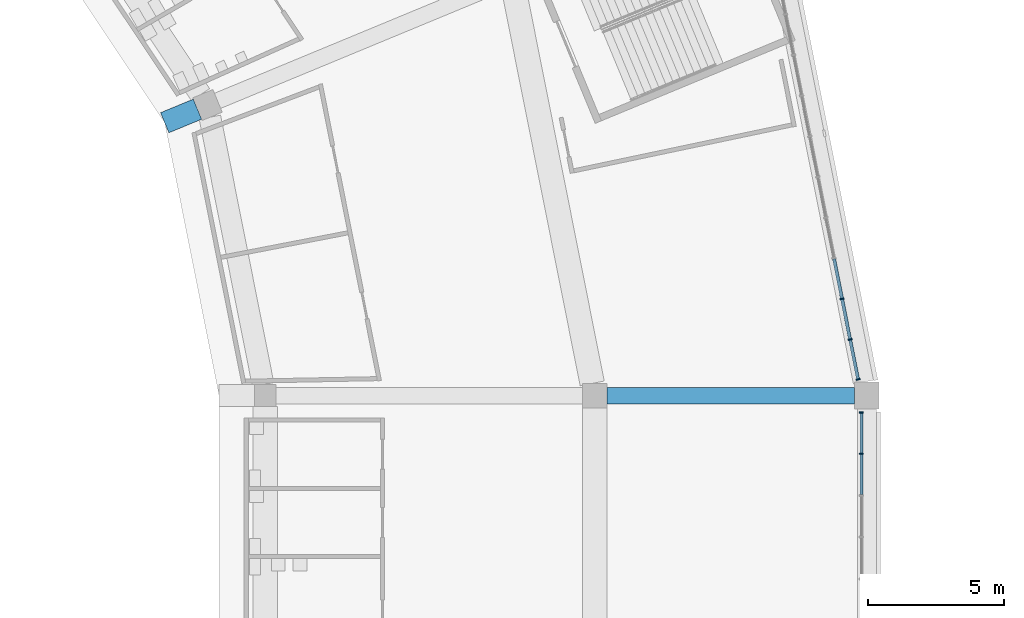
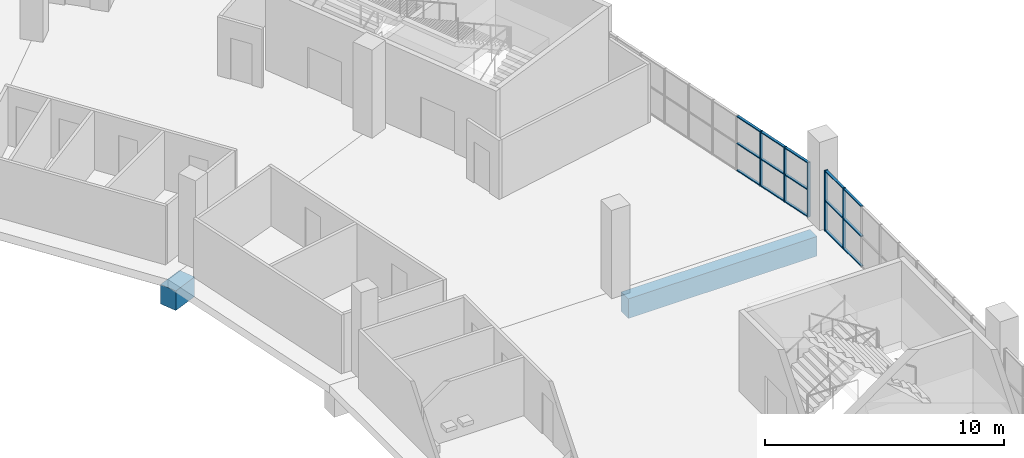
# One storey, part 50 of 199: 20 members, 2 beams, 2 elements without a shape of their own.
"""IFC4 building model written with IfcOpenShell, lengths in metres."""

from ifc_helpers import new_model, si_unit, direction, frame, origin, origin_2d, place, context, subcontext, project, spatial, rectangle, extrude, material, material_profile, profile_set, type_object, element, aggregate, save


model = new_model("IFC4")

# Units and contexts
model_context = context("Model", 3, precision=1e-05, world=origin(), true_north=direction((0.0, 1.0)))
body_context = subcontext(model_context, "Body", "Model", "MODEL_VIEW")
ifc_project = project(units=[si_unit("LENGTHUNIT", "METRE"), si_unit("AREAUNIT", "SQUARE_METRE"), si_unit("VOLUMEUNIT", "CUBIC_METRE"), si_unit("PLANEANGLEUNIT", "RADIAN"), si_unit("MASSUNIT", "GRAM", prefix="KILO")], contexts=[model_context])

# Site, building, storey
site_placement = place(None, origin())
site = spatial("IfcSite", under=ifc_project, at=site_placement, CompositionType="ELEMENT")
building_placement = place(site_placement, origin())
building = spatial("IfcBuilding", under=site, at=building_placement, Name="Ogive Plaza Stadium", CompositionType="ELEMENT")
storey_placement = place(building_placement, frame((0.0, 0.0, 4.5)))
storey = spatial("IfcBuildingStorey", under=building, at=storey_placement, Name="L01", CompositionType="ELEMENT", Elevation=4.5)

# Curtain wall, members
ifc_material_1 = material(Name="Bronze-anodised aluminium with laminated glass", Category="aluminium")
curtain_wall_type = type_object("IfcCurtainWallType", Name="Lancet curtain wall", PredefinedType="NOTDEFINED", material=ifc_material_1)
curtain_wall_1_placement = place(storey_placement, origin())
curtain_wall_1 = element("IfcCurtainWall", 1, at=curtain_wall_1_placement, inside=storey, type_object=curtain_wall_type, Name="CURTAIN WALL B01 L01", PredefinedType="NOTDEFINED")
ifc_material_2 = material(Name="Bronze-anodised aluminium", Category="aluminium")
ifc_material_profile_1 = material_profile(ifc_material_2, rectangle(XDim=0.14990234375, YDim=0.050048828125, at=origin_2d()), Name="AL 150x50")
ifc_profile_set_1 = profile_set([ifc_material_profile_1], Name="Bronze-anodised aluminium")
member_type_1 = type_object("IfcMemberType", Name="Curtain wall mullion 50x150", PredefinedType="MULLION", material=ifc_profile_set_1)
member_1_placement = place(storey_placement, frame((83.800048828125, 51.875, 0.0), z_axis=(0.0, 0.0, 1.0), x_axis=(1.0, 0.0, 0.0)))
member_1 = element("IfcMember", 2, at=member_1_placement, type_object=member_type_1, Name="CW-B01-L01 mullion 1", PredefinedType="MULLION", context=body_context, shape_type="SweptSolid", body=[
    extrude(rectangle(XDim=0.14990234375, YDim=0.050048828125, at=origin_2d()), origin(), (0.0, 0.0, 1.0), 3.090087890625),
])
member_2_placement = place(storey_placement, frame((83.800048828125, 50.36669921875, 0.0), z_axis=(0.0, 0.0, 1.0), x_axis=(1.0, 0.0, 0.0)))
member_2 = element("IfcMember", 3, at=member_2_placement, type_object=member_type_1, Name="CW-B01-L01 mullion 2", PredefinedType="MULLION", context=body_context, shape_type="SweptSolid", body=[
    extrude(rectangle(XDim=0.14990234375, YDim=0.050048828125, at=origin_2d()), origin(), (0.0, 0.0, 1.0), 3.090087890625),
])

curtain_wall_2_placement = place(storey_placement, origin())
curtain_wall_2 = element("IfcCurtainWall", 4, at=curtain_wall_2_placement, inside=storey, type_object=curtain_wall_type, Name="CURTAIN WALL B40 L01", PredefinedType="NOTDEFINED")
member_3_placement = place(storey_placement, frame((83.0888671875, 56.0556640625, 0.0), z_axis=(0.0, 0.0, 1.0), x_axis=(0.9807852804, 0.195090322033, 0.0)))
member_3 = element("IfcMember", 5, at=member_3_placement, type_object=member_type_1, Name="CW-B40-L01 mullion 11", PredefinedType="MULLION", context=body_context, shape_type="SweptSolid", body=[
    extrude(rectangle(XDim=0.14990234375, YDim=0.050048828125, at=origin_2d()), origin(), (0.0, 0.0, 1.0), 2.7900390625),
])
member_4_placement = place(storey_placement, frame((83.3857421875, 54.5625, 0.0), z_axis=(0.0, 0.0, 1.0), x_axis=(0.9807852804, 0.195090322033, 0.0)))
member_4 = element("IfcMember", 6, at=member_4_placement, type_object=member_type_1, Name="CW-B40-L01 mullion 12", PredefinedType="MULLION", context=body_context, shape_type="SweptSolid", body=[
    extrude(rectangle(XDim=0.14990234375, YDim=0.050048828125, at=origin_2d()), origin(), (0.0, 0.0, 1.0), 2.7900390625),
])
member_5_placement = place(storey_placement, frame((83.677978515625, 53.093994140625, 0.0), z_axis=(0.0, 0.0, 1.0), x_axis=(0.9807852804, 0.195090322033, 0.0)))
member_5 = element("IfcMember", 7, at=member_5_placement, type_object=member_type_1, Name="CW-B40-L01 mullion 13", PredefinedType="MULLION", context=body_context, shape_type="SweptSolid", body=[
    extrude(rectangle(XDim=0.14990234375, YDim=0.050048828125, at=origin_2d()), origin(), (0.0, 0.0, 1.0), 2.7900390625),
])

# Member
ifc_material_3 = material(Name="Bronze-anodised aluminium", Category="aluminium")
ifc_material_profile_2 = material_profile(ifc_material_3, rectangle(XDim=0.1201171875, YDim=0.050048828125, at=origin_2d()), Name="AL 120x50")
ifc_profile_set_2 = profile_set([ifc_material_profile_2], Name="Bronze-anodised aluminium")
member_type_2 = type_object("IfcMemberType", Name="Curtain wall transom 50x120", PredefinedType="USERDEFINED", material=ifc_profile_set_2)
member_6_placement = place(storey_placement, frame((83.800048828125, 51.85009765625, 0.02490234375), z_axis=(0.0, -1.0, 0.0), x_axis=(1.0, 0.0, 0.0)))
member_6 = element("IfcMember", 8, at=member_6_placement, type_object=member_type_2, Name="CW-B01-L01 transom 1.1", ObjectType="TRANSOM", PredefinedType="USERDEFINED", context=body_context, shape_type="SweptSolid", body=[
    extrude(rectangle(XDim=0.1201171875, YDim=0.050048828125, at=origin_2d()), origin(), (0.0, 0.0, 1.0), 1.45849609375),
])

member_7_placement = place(storey_placement, frame((83.800048828125, 51.85009765625, 1.544921875), z_axis=(0.0, -1.0, 0.0), x_axis=(1.0, 0.0, 0.0)))
member_7 = element("IfcMember", 9, at=member_7_placement, type_object=member_type_2, Name="CW-B01-L01 transom 1.2", ObjectType="TRANSOM", PredefinedType="USERDEFINED", context=body_context, shape_type="SweptSolid", body=[
    extrude(rectangle(XDim=0.1201171875, YDim=0.050048828125, at=origin_2d()), origin(), (0.0, 0.0, 1.0), 1.45849609375),
])

member_8_placement = place(storey_placement, frame((83.800048828125, 51.85009765625, 3.06494140625), z_axis=(0.0, -1.0, 0.0), x_axis=(1.0, 0.0, 0.0)))
member_8 = element("IfcMember", 10, at=member_8_placement, type_object=member_type_2, Name="CW-B01-L01 transom 1.3", ObjectType="TRANSOM", PredefinedType="USERDEFINED", context=body_context, shape_type="SweptSolid", body=[
    extrude(rectangle(XDim=0.1201171875, YDim=0.050048828125, at=origin_2d()), origin(), (0.0, 0.0, 1.0), 1.45849609375),
])

member_9_placement = place(storey_placement, frame((83.800048828125, 50.341552734375, 0.02490234375), z_axis=(0.0, -1.0, 0.0), x_axis=(1.0, 0.0, 0.0)))
member_9 = element("IfcMember", 11, at=member_9_placement, type_object=member_type_2, Name="CW-B01-L01 transom 2.1", ObjectType="TRANSOM", PredefinedType="USERDEFINED", context=body_context, shape_type="SweptSolid", body=[
    extrude(rectangle(XDim=0.1201171875, YDim=0.050048828125, at=origin_2d()), origin(), (0.0, 0.0, 1.0), 1.483154296875),
])

member_10_placement = place(storey_placement, frame((83.800048828125, 50.341552734375, 1.544921875), z_axis=(0.0, -1.0, 0.0), x_axis=(1.0, 0.0, 0.0)))
member_10 = element("IfcMember", 12, at=member_10_placement, type_object=member_type_2, Name="CW-B01-L01 transom 2.2", ObjectType="TRANSOM", PredefinedType="USERDEFINED", context=body_context, shape_type="SweptSolid", body=[
    extrude(rectangle(XDim=0.1201171875, YDim=0.050048828125, at=origin_2d()), origin(), (0.0, 0.0, 1.0), 1.483154296875),
])

member_11_placement = place(storey_placement, frame((83.800048828125, 50.341552734375, 3.06494140625), z_axis=(0.0, -1.0, 0.0), x_axis=(1.0, 0.0, 0.0)))
member_11 = element("IfcMember", 13, at=member_11_placement, type_object=member_type_2, Name="CW-B01-L01 transom 2.3", ObjectType="TRANSOM", PredefinedType="USERDEFINED", context=body_context, shape_type="SweptSolid", body=[
    extrude(rectangle(XDim=0.1201171875, YDim=0.050048828125, at=origin_2d()), origin(), (0.0, 0.0, 1.0), 1.483154296875),
])

aggregate(curtain_wall_1, [member_1, member_2, member_6, member_7, member_8, member_9, member_10, member_11])

member_12_placement = place(storey_placement, frame((82.796630859375, 57.524169921875, 0.02490234375), z_axis=(0.195191182816, -0.980765212551, 0.0), x_axis=(0.980765212551, 0.195191182816, 0.0)))
member_12 = element("IfcMember", 14, at=member_12_placement, type_object=member_type_2, Name="CW-B40-L01 transom 10.1", ObjectType="TRANSOM", PredefinedType="USERDEFINED", context=body_context, shape_type="SweptSolid", body=[
    extrude(rectangle(XDim=0.1201171875, YDim=0.050048828125, at=origin_2d()), origin(), (0.0, 0.0, 1.0), 1.47216796875),
])

member_13_placement = place(storey_placement, frame((82.796630859375, 57.524169921875, 1.39501953125), z_axis=(0.195191182816, -0.980765212551, 0.0), x_axis=(0.980765212551, 0.195191182816, 0.0)))
member_13 = element("IfcMember", 15, at=member_13_placement, type_object=member_type_2, Name="CW-B40-L01 transom 10.2", ObjectType="TRANSOM", PredefinedType="USERDEFINED", context=body_context, shape_type="SweptSolid", body=[
    extrude(rectangle(XDim=0.1201171875, YDim=0.050048828125, at=origin_2d()), origin(), (0.0, 0.0, 1.0), 1.47216796875),
])

member_14_placement = place(storey_placement, frame((82.796630859375, 57.524169921875, 2.764892578125), z_axis=(0.195191182816, -0.980765212551, 0.0), x_axis=(0.980765212551, 0.195191182816, 0.0)))
member_14 = element("IfcMember", 16, at=member_14_placement, type_object=member_type_2, Name="CW-B40-L01 transom 10.3", ObjectType="TRANSOM", PredefinedType="USERDEFINED", context=body_context, shape_type="SweptSolid", body=[
    extrude(rectangle(XDim=0.1201171875, YDim=0.050048828125, at=origin_2d()), origin(), (0.0, 0.0, 1.0), 1.47216796875),
])

member_15_placement = place(storey_placement, frame((83.09375, 56.03125, 0.02490234375), z_axis=(0.194999937042, -0.980803254763, 0.0), x_axis=(0.980803254763, 0.194999937042, 0.0)))
member_15 = element("IfcMember", 17, at=member_15_placement, type_object=member_type_2, Name="CW-B40-L01 transom 11.1", ObjectType="TRANSOM", PredefinedType="USERDEFINED", context=body_context, shape_type="SweptSolid", body=[
    extrude(rectangle(XDim=0.1201171875, YDim=0.050048828125, at=origin_2d()), origin(), (0.0, 0.0, 1.0), 1.472412109375),
])

member_16_placement = place(storey_placement, frame((83.09375, 56.03125, 1.39501953125), z_axis=(0.194999937042, -0.980803254763, 0.0), x_axis=(0.980803254763, 0.194999937042, 0.0)))
member_16 = element("IfcMember", 18, at=member_16_placement, type_object=member_type_2, Name="CW-B40-L01 transom 11.2", ObjectType="TRANSOM", PredefinedType="USERDEFINED", context=body_context, shape_type="SweptSolid", body=[
    extrude(rectangle(XDim=0.1201171875, YDim=0.050048828125, at=origin_2d()), origin(), (0.0, 0.0, 1.0), 1.472412109375),
])

member_17_placement = place(storey_placement, frame((83.09375, 56.03125, 2.764892578125), z_axis=(0.194999937042, -0.980803254763, 0.0), x_axis=(0.980803254763, 0.194999937042, 0.0)))
member_17 = element("IfcMember", 19, at=member_17_placement, type_object=member_type_2, Name="CW-B40-L01 transom 11.3", ObjectType="TRANSOM", PredefinedType="USERDEFINED", context=body_context, shape_type="SweptSolid", body=[
    extrude(rectangle(XDim=0.1201171875, YDim=0.050048828125, at=origin_2d()), origin(), (0.0, 0.0, 1.0), 1.472412109375),
])

member_18_placement = place(storey_placement, frame((83.390625, 54.5380859375, 0.02490234375), z_axis=(0.195175269199, -0.980768379534, 0.0), x_axis=(0.980768379534, 0.195175269199, 0.0)))
member_18 = element("IfcMember", 20, at=member_18_placement, type_object=member_type_2, Name="CW-B40-L01 transom 12.1", ObjectType="TRANSOM", PredefinedType="USERDEFINED", context=body_context, shape_type="SweptSolid", body=[
    extrude(rectangle(XDim=0.1201171875, YDim=0.050048828125, at=origin_2d()), origin(), (0.0, 0.0, 1.0), 1.447265625),
])

member_19_placement = place(storey_placement, frame((83.390625, 54.5380859375, 1.39501953125), z_axis=(0.195175269199, -0.980768379534, 0.0), x_axis=(0.980768379534, 0.195175269199, 0.0)))
member_19 = element("IfcMember", 21, at=member_19_placement, type_object=member_type_2, Name="CW-B40-L01 transom 12.2", ObjectType="TRANSOM", PredefinedType="USERDEFINED", context=body_context, shape_type="SweptSolid", body=[
    extrude(rectangle(XDim=0.1201171875, YDim=0.050048828125, at=origin_2d()), origin(), (0.0, 0.0, 1.0), 1.447265625),
])

member_20_placement = place(storey_placement, frame((83.390625, 54.5380859375, 2.764892578125), z_axis=(0.195175269199, -0.980768379534, 0.0), x_axis=(0.980768379534, 0.195175269199, 0.0)))
member_20 = element("IfcMember", 22, at=member_20_placement, type_object=member_type_2, Name="CW-B40-L01 transom 12.3", ObjectType="TRANSOM", PredefinedType="USERDEFINED", context=body_context, shape_type="SweptSolid", body=[
    extrude(rectangle(XDim=0.1201171875, YDim=0.050048828125, at=origin_2d()), origin(), (0.0, 0.0, 1.0), 1.447265625),
])

aggregate(curtain_wall_2, [member_3, member_4, member_5, member_12, member_13, member_14, member_15, member_16, member_17, member_18, member_19, member_20])

# Beams
ifc_material_4 = material(Name="Concrete C40/50", Category="concrete")
ifc_material_profile_3 = material_profile(ifc_material_4, rectangle(XDim=0.60009765625, YDim=1.0, at=origin_2d()), Name="RC 600x1000")
ifc_profile_set_3 = profile_set([ifc_material_profile_3], Name="Concrete C40/50")
beam_type_1 = type_object("IfcBeamType", Name="RC radial beam 600x1000", PredefinedType="BEAM", material=ifc_profile_set_3)
beam_1_placement = place(storey_placement, frame((74.449951171875, 52.5, -0.909912109375), z_axis=(1.0, 0.0, 0.0), x_axis=(0.0, 1.0, 0.0)))
element("IfcBeam", 23, at=beam_1_placement, inside=storey, type_object=beam_type_1, Name="Radial beam L01 R01 F4F5", PredefinedType="BEAM", context=body_context, shape_type="SweptSolid", body=[
    extrude(rectangle(XDim=0.60009765625, YDim=1.0, at=origin_2d()), origin(), (0.0, 0.0, 1.0), 9.10009765625),
])
ifc_material_5 = material(Name="Concrete C40/50", Category="concrete")
ifc_material_profile_4 = material_profile(ifc_material_5, rectangle(XDim=0.800048828125, YDim=1.0, at=origin_2d()), Name="RC 800x1000")
ifc_profile_set_4 = profile_set([ifc_material_profile_4], Name="Concrete C40/50")
beam_type_2 = type_object("IfcBeamType", Name="RC radial beam 800x1000", PredefinedType="BEAM", material=ifc_profile_set_4)
beam_2_placement = place(storey_placement, frame((58.20556640625, 62.5263671875, -0.909912109375), z_axis=(0.923941315923, 0.382534239946, 0.0), x_axis=(-0.382534239946, 0.923941315923, 0.0)))
element("IfcBeam", 24, at=beam_2_placement, inside=storey, type_object=beam_type_2, Name="Raker tail beam LT R40", PredefinedType="BEAM", context=body_context, shape_type="SweptSolid", body=[
    extrude(rectangle(XDim=0.800048828125, YDim=1.0, at=origin_2d()), origin(), (0.0, 0.0, 1.0), 1.300048828125),
])

save(model, "model.ifc")
